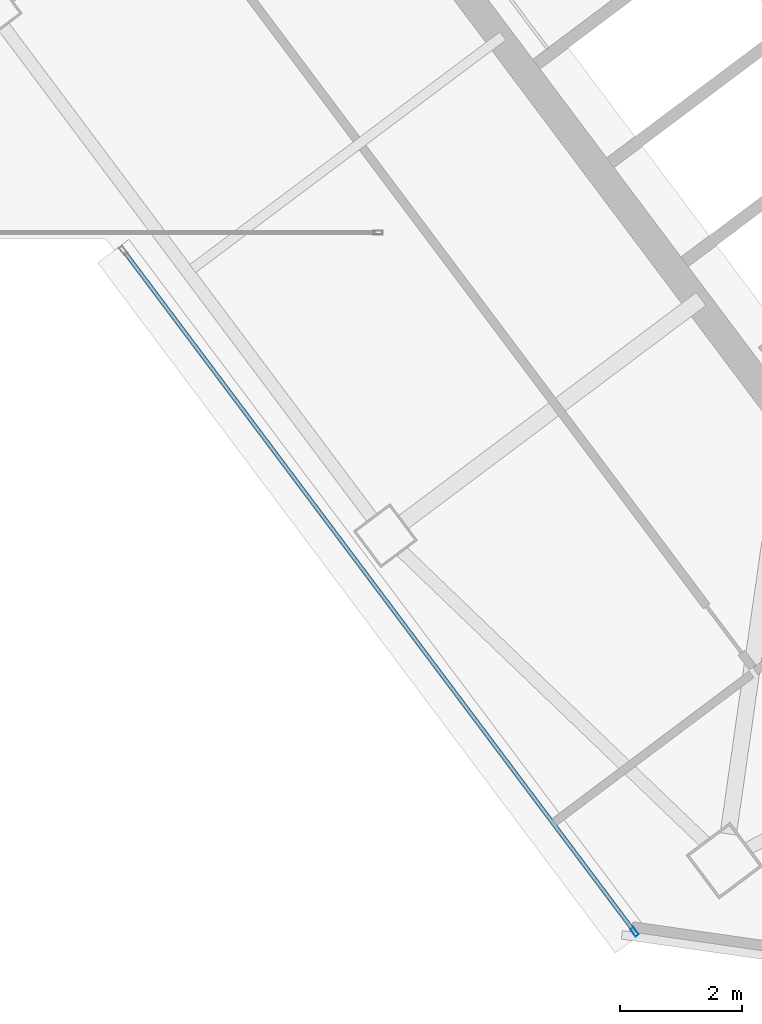
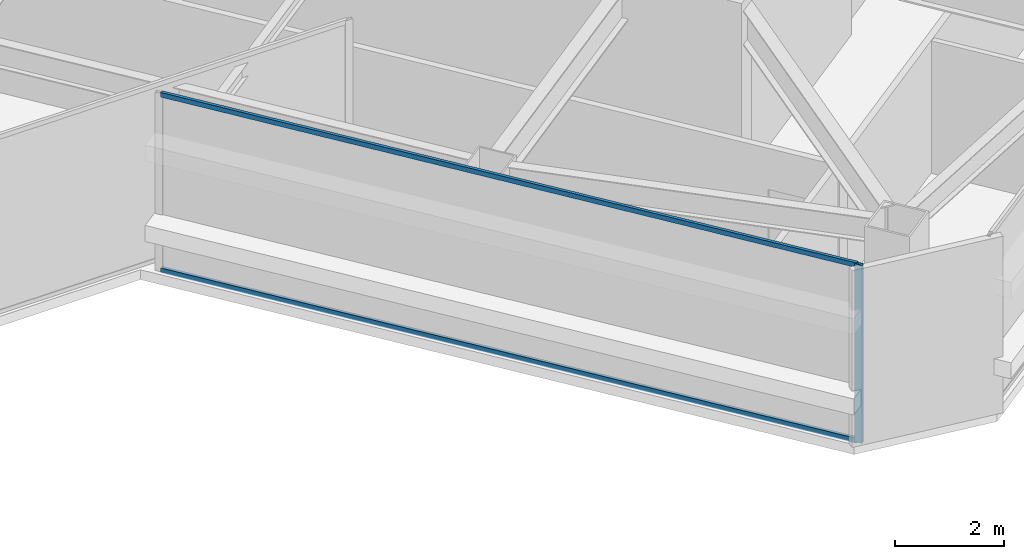
# One storey, part 26 of 51: 3 members, 1 element without a shape of its own.
"""IFC4 building model written with IfcOpenShell, lengths in metres."""

from ifc_helpers import new_model, si_unit, direction, frame, origin, origin_2d, place, context, subcontext, project, spatial, hollow_rectangle, extrude, material, material_profile, profile_set, type_object, element, aggregate, save


model = new_model("IFC4")

# Units and contexts
model_context = context("Model", 3, precision=1e-05, world=origin(), true_north=direction((0.0, 1.0)))
body_context = subcontext(model_context, "Body", "Model", "MODEL_VIEW")
ifc_project = project(units=[si_unit("LENGTHUNIT", "METRE"), si_unit("AREAUNIT", "SQUARE_METRE"), si_unit("VOLUMEUNIT", "CUBIC_METRE"), si_unit("PLANEANGLEUNIT", "RADIAN"), si_unit("MASSUNIT", "GRAM", prefix="KILO")], contexts=[model_context])

# Site, building, storey
site_placement = place(None, origin())
site = spatial("IfcSite", under=ifc_project, at=site_placement, CompositionType="ELEMENT")
building_placement = place(site_placement, origin())
building = spatial("IfcBuilding", under=site, at=building_placement, Name="Tashvorn Skyway Center", CompositionType="ELEMENT")
storey_placement = place(building_placement, frame((0.0, 0.0, 251.39990234375)))
storey = spatial("IfcBuildingStorey", under=building, at=storey_placement, Name="L68", CompositionType="ELEMENT", Elevation=251.39990234375)

# Curtain wall, members
ifc_material = material(Name="Thermally broken bronze-anodized aluminium 6063-T6", Category="aluminium")
curtain_wall_type = type_object("IfcCurtainWallType", Name="CW-CW-SKY", PredefinedType="NOTDEFINED", material=ifc_material)
curtain_wall_placement = place(storey_placement, origin())
curtain_wall = element("IfcCurtainWall", 1, at=curtain_wall_placement, inside=storey, type_object=curtain_wall_type, Name="Tower 2 L68 West Curtain Wall A", PredefinedType="NOTDEFINED")
ifc_material_profile_1 = material_profile(ifc_material, hollow_rectangle(XDim=0.06494140625, YDim=0.14990234375, WallThickness=0.00390625, at=origin_2d()), Name="ALU-MULL-65x150")
ifc_profile_set_1 = profile_set([ifc_material_profile_1], Name="Thermally broken bronze-anodized aluminium 6063-T6")
member_type_1 = type_object("IfcMemberType", Name="CWM-CW-SKY", PredefinedType="MULLION", material=ifc_profile_set_1)
member_1_placement = place(storey_placement, frame((109.924560546875, 12.634033203125, 0.0), z_axis=(0.0, 0.0, 1.0), x_axis=(-0.799999999998, -0.600000000002, 0.0)))
member_1 = element("IfcMember", 2, at=member_1_placement, type_object=member_type_1, Name="CW-SKY mullion 1", PredefinedType="MULLION", context=body_context, shape_type="SweptSolid", body=[
    extrude(hollow_rectangle(XDim=0.06494140625, YDim=0.14990234375, WallThickness=0.00390625, at=origin_2d()), origin(), (0.0, 0.0, 1.0), 4.0),
])
ifc_material_profile_2 = material_profile(ifc_material, hollow_rectangle(XDim=0.06494140625, YDim=0.10498046875, WallThickness=0.00390625, at=origin_2d()), Name="ALU-TRAN-65x105")
ifc_profile_set_2 = profile_set([ifc_material_profile_2], Name="Thermally broken bronze-anodized aluminium 6063-T6")
member_type_2 = type_object("IfcMemberType", Name="CWT-CW-SKY", PredefinedType="USERDEFINED", material=ifc_profile_set_2)
member_2_placement = place(storey_placement, frame((109.905029296875, 12.659912109375, 0.03271484375), z_axis=(-0.6, 0.8, 0.0), x_axis=(-0.8, -0.6, 0.0)))
member_2 = element("IfcMember", 3, at=member_2_placement, type_object=member_type_2, Name="CW-SKY transom 1.1", ObjectType="TRANSOM", PredefinedType="USERDEFINED", context=body_context, shape_type="SweptSolid", body=[
    extrude(hollow_rectangle(XDim=0.06494140625, YDim=0.10498046875, WallThickness=0.00390625, at=origin_2d()), origin(), (0.0, 0.0, 1.0), 13.900146484375),
])
member_3_placement = place(storey_placement, frame((109.905029296875, 12.659912109375, 3.967529296875), z_axis=(-0.6, 0.8, 0.0), x_axis=(-0.8, -0.6, 0.0)))
member_3 = element("IfcMember", 4, at=member_3_placement, type_object=member_type_2, Name="CW-SKY transom 1.2", ObjectType="TRANSOM", PredefinedType="USERDEFINED", context=body_context, shape_type="SweptSolid", body=[
    extrude(hollow_rectangle(XDim=0.06494140625, YDim=0.10498046875, WallThickness=0.00390625, at=origin_2d()), origin(), (0.0, 0.0, 1.0), 13.900146484375),
])
aggregate(curtain_wall, [member_1, member_2, member_3])

save(model, "model.ifc")
